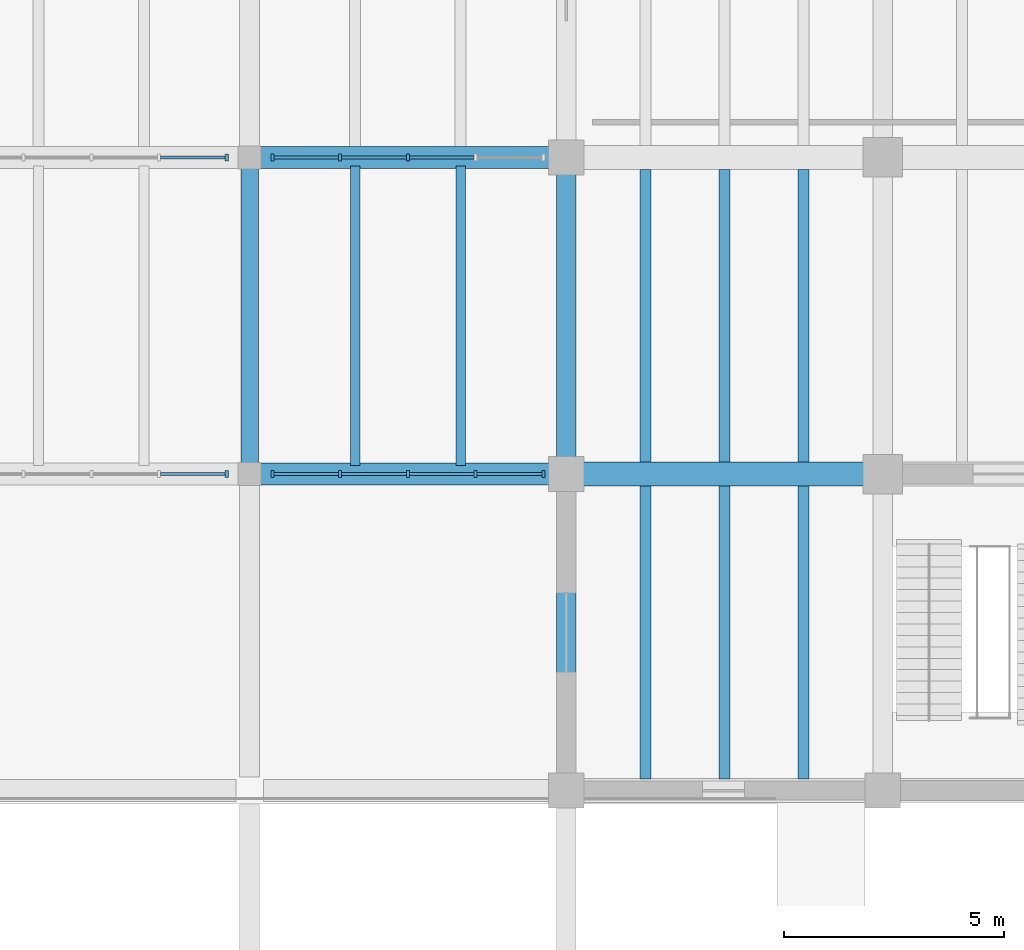
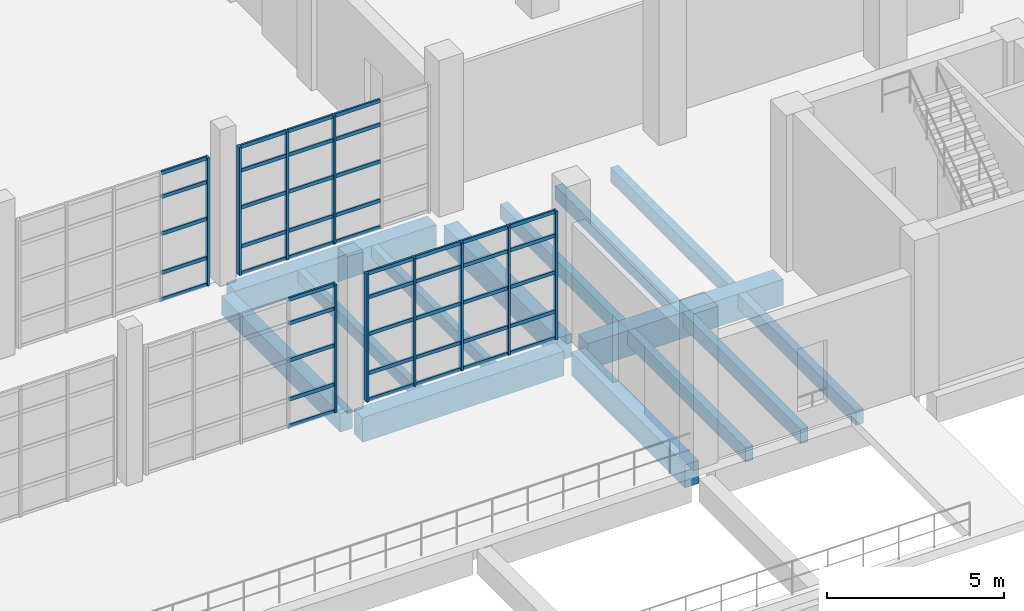
# One storey, part 42 of 79: 55 members, 14 beams, 4 elements without a shape of their own.
"""IFC4 building model written with IfcOpenShell, lengths in metres."""

import ifcopenshell
import ifcopenshell.guid

model = None  # the IFC model being written
_history = None  # IfcOwnerHistory: only IFC2X3 demands one
_inside = {}  # id of a spatial element -> (the spatial element, [elements in it])
_under = {}  # id of a project, library or spatial element -> (it, [spatial elements below it])
_declared = {}  # id of a project -> (the project, [libraries it declares])
_typed = {}  # id of a type object -> (the type object, [elements of that type])
_made_of = {}  # id of a material, layer set ... -> (it, [elements and type objects made of it])


def new_model(schema):
    """Start an empty IFC model of exactly this schema.

    Asked for "IFC4X3", IfcOpenShell would pick the latest addendum, in which some entities
    have other attributes; the version numbers below select the first issue.
    IFC2X3 requires an IfcOwnerHistory on every rooted entity: one is made here for all.
    """
    global model, _history
    if schema == "IFC4X3":
        model = ifcopenshell.file(schema_version=(4, 3, 0, 0))
    else:
        model = ifcopenshell.file(schema=schema)
    _inside.clear()
    _under.clear()
    _declared.clear()
    _typed.clear()
    _made_of.clear()
    _history = None
    if model.schema == "IFC2X3":
        org = make("IfcOrganization", Name="unknown")
        user = make(
            "IfcPersonAndOrganization",
            ThePerson=make("IfcPerson", FamilyName="unknown"),
            TheOrganization=org,
        )
        app = make(
            "IfcApplication",
            ApplicationDeveloper=org,
            Version="unknown",
            ApplicationFullName="unknown",
            ApplicationIdentifier="unknown",
        )
        _history = make(
            "IfcOwnerHistory",
            OwningUser=user,
            OwningApplication=app,
            ChangeAction="ADDED",
            CreationDate=0,
        )
    return model


def make(cls, **values):
    """One entity of the class cls with the attributes given. An attribute that is None is left unset."""
    return model.create_entity(
        cls, **{name: value for name, value in values.items() if value is not None}
    )


def rooted(cls, **values):
    """An entity with a GlobalId (a new one), such as an element, a storey or a relation."""
    return make(cls, GlobalId=ifcopenshell.guid.new(), OwnerHistory=_history, **values)


def si_unit(unit_type, name, prefix=None):
    """IfcSIUnit, for example si_unit("LENGTHUNIT", "METRE", prefix="MILLI")."""
    return make("IfcSIUnit", UnitType=unit_type, Prefix=prefix, Name=name)


def assignment(units):
    """IfcUnitAssignment: the units of a project."""
    return None if units is None else make("IfcUnitAssignment", Units=units)


def point(xyz):
    """IfcCartesianPoint."""
    return None if xyz is None else make("IfcCartesianPoint", Coordinates=xyz)


def direction(xyz):
    """IfcDirection."""
    return None if xyz is None else make("IfcDirection", DirectionRatios=xyz)


def frame(location, z_axis=None, x_axis=None):
    """IfcAxis2Placement3D, a coordinate frame: its origin and axes. An axis left out is left unset."""
    return make(
        "IfcAxis2Placement3D",
        Location=point(location),
        Axis=direction(z_axis),
        RefDirection=direction(x_axis),
    )


def frame_2d(location, x_axis=None):
    """IfcAxis2Placement2D, a coordinate frame in the plane: its origin and x axis."""
    return make(
        "IfcAxis2Placement2D", Location=point(location), RefDirection=direction(x_axis)
    )


def origin():
    """The frame at (0, 0, 0) with its axes left unset."""
    return frame((0.0, 0.0, 0.0))


def origin_2d():
    """The frame at (0, 0) in the plane with its x axis left unset."""
    return frame_2d((0.0, 0.0))


def place(relative_to, where):
    """IfcLocalPlacement: puts the frame where relative to a parent placement (None: the world)."""
    return make(
        "IfcLocalPlacement", PlacementRelTo=relative_to, RelativePlacement=where
    )


def context(
    kind, dimensions, precision=None, world=None, true_north=None, identifier=None
):
    """IfcGeometricRepresentationContext, for example the 3D "Model" context."""
    return make(
        "IfcGeometricRepresentationContext",
        ContextIdentifier=identifier,
        ContextType=kind,
        CoordinateSpaceDimension=dimensions,
        Precision=precision,
        WorldCoordinateSystem=world,
        TrueNorth=true_north,
    )


def subcontext(parent, identifier, kind, view, scale=None):
    """IfcGeometricRepresentationSubContext, for example "Body" below "Model"."""
    return make(
        "IfcGeometricRepresentationSubContext",
        ContextIdentifier=identifier,
        ContextType=kind,
        ParentContext=parent,
        TargetScale=scale,
        TargetView=view,
    )


def project(units=None, contexts=None):
    """IfcProject with its units and contexts."""
    return rooted(
        "IfcProject",
        Name="project",
        RepresentationContexts=contexts,
        UnitsInContext=assignment(units),
    )


def spatial(cls, under=None, at=None, **own):
    """A site, building, storey or space (cls), placed at a placement, below another one or the project."""
    s = rooted(cls, ObjectPlacement=at, **own)
    if under is not None:
        _under.setdefault(under.id(), (under, []))[1].append(s)
    return s


def profile(cls, at=None, kind="AREA", **sizes):
    """A parametric profile (cls). Its sizes go by their IFC names, for example OverallWidth=200.0."""
    return make(cls, ProfileType=kind, Position=at, **sizes)


def rectangle(**sizes):
    """IfcRectangleProfileDef."""
    return profile("IfcRectangleProfileDef", **sizes)


def extrude(swept, where, along, depth):
    """IfcExtrudedAreaSolid: the profile swept, set in the frame where, extruded along a direction by depth."""
    return make(
        "IfcExtrudedAreaSolid",
        SweptArea=swept,
        Position=where,
        ExtrudedDirection=direction(along),
        Depth=depth,
    )


def shape(context_of_items, identifier, shape_type, items):
    """IfcShapeRepresentation: the items that make up one representation, for example the "Body"."""
    return make(
        "IfcShapeRepresentation",
        ContextOfItems=context_of_items,
        RepresentationIdentifier=identifier,
        RepresentationType=shape_type,
        Items=items,
    )


def material(Name=None, Category=None):
    """IfcMaterial."""
    return make("IfcMaterial", Name=Name, Category=Category)


def material_profile(
    of_material, cross_section, Name=None, Category=None, Priority=None
):
    """IfcMaterialProfile: a cross section and its material."""
    return make(
        "IfcMaterialProfile",
        Name=Name,
        Material=of_material,
        Profile=cross_section,
        Priority=Priority,
        Category=Category,
    )


def profile_set(profiles, Name=None, composite=None):
    """IfcMaterialProfileSet."""
    return make(
        "IfcMaterialProfileSet",
        Name=Name,
        MaterialProfiles=profiles,
        CompositeProfile=composite,
    )


def made_of(thing, what):
    """Note that an element or type object is made of a material, layer set ...; save() writes the relation."""
    if what is not None:
        _made_of.setdefault(what.id(), (what, []))[1].append(thing)
    return thing


def type_object(cls, material=None, **own):
    """A type object (cls), such as IfcWallType, which elements share."""
    return made_of(rooted(cls, **own), material)


def element(
    cls,
    number,
    at=None,
    inside=None,
    cuts=None,
    type_object=None,
    material=None,
    context=None,
    identifier="Body",
    shape_type=None,
    held_by="IfcProductDefinitionShape",
    body=None,
    shapes=None,
    **own,
):
    """One element of the class cls, such as IfcWall. Its Tag is "e" and its number.

    at: its placement. inside: the storey or other place that contains it. cuts: it is an
    opening in that element (IfcRelVoidsElement). A single representation is given by context,
    identifier, shape_type and body (its items); several are given by shapes. held_by: the class
    of the entity that holds the representations. save() writes the other relations.
    """
    e = rooted(cls, Tag="e%d" % number, ObjectPlacement=at, **own)
    if body is not None:
        shapes = [shape(context, identifier, shape_type, body)]
    if shapes is not None:
        e.Representation = make(held_by, Representations=shapes)
    if inside is not None:
        _inside.setdefault(inside.id(), (inside, []))[1].append(e)
    if cuts is not None:
        rooted(
            "IfcRelVoidsElement", RelatingBuildingElement=cuts, RelatedOpeningElement=e
        )
    if type_object is not None:
        _typed.setdefault(type_object.id(), (type_object, []))[1].append(e)
    return made_of(e, material)


def aggregate(whole, parts):
    """IfcRelAggregates: a whole, such as a stair, and the parts it consists of."""
    return rooted("IfcRelAggregates", RelatingObject=whole, RelatedObjects=parts)


def save(model, path):
    """Write the relations noted so far, then the file.

    IfcRelAggregates (storeys below a building ...), IfcRelContainedInSpatialStructure (elements
    in a storey), IfcRelDefinesByType, IfcRelAssociatesMaterial and IfcRelDeclares: one each for
    every whole, place, type object, material and project.
    """
    for whole, parts in _under.values():
        aggregate(whole, parts)
    for where, things in _inside.values():
        rooted(
            "IfcRelContainedInSpatialStructure",
            RelatedElements=things,
            RelatingStructure=where,
        )
    for kind, things in _typed.values():
        rooted("IfcRelDefinesByType", RelatedObjects=things, RelatingType=kind)
    for what, things in _made_of.values():
        rooted("IfcRelAssociatesMaterial", RelatedObjects=things, RelatingMaterial=what)
    for by, libraries in _declared.values():
        rooted("IfcRelDeclares", RelatingContext=by, RelatedDefinitions=libraries)
    model.write(path)


model = new_model("IFC4")

# Units and contexts
model_context = context("Model", 3, precision=1e-05, world=origin(), true_north=direction((0.0, 1.0)))
body_context = subcontext(model_context, "Body", "Model", "MODEL_VIEW")
ifc_project = project(units=[si_unit("LENGTHUNIT", "METRE"), si_unit("AREAUNIT", "SQUARE_METRE"), si_unit("VOLUMEUNIT", "CUBIC_METRE"), si_unit("PLANEANGLEUNIT", "RADIAN"), si_unit("MASSUNIT", "GRAM", prefix="KILO")], contexts=[model_context])

# Site, building, storey
site_placement = place(None, origin())
site = spatial("IfcSite", under=ifc_project, at=site_placement, CompositionType="ELEMENT")
building_placement = place(site_placement, origin())
building = spatial("IfcBuilding", under=site, at=building_placement, Name="Qiaolan Assembly House", CompositionType="ELEMENT")
storey_placement = place(building_placement, origin())
storey = spatial("IfcBuildingStorey", under=building, at=storey_placement, Name="L00", CompositionType="ELEMENT", Elevation=0.0)

# Beams
ifc_material_1 = material(Name="Concrete C40/50", Category="concrete")
ifc_material_profile_1 = material_profile(ifc_material_1, rectangle(XDim=0.39990234375, YDim=0.64990234375, at=origin_2d()), Name="RCB 400x650")
ifc_profile_set_1 = profile_set([ifc_material_profile_1], Name="Concrete C40/50")
beam_type_1 = type_object("IfcBeamType", Name="BM-RC-400x650", PredefinedType="BEAM", material=ifc_profile_set_1)
beam_1_placement = place(storey_placement, frame((129.60009765625, 36.25, -0.6650390625), z_axis=(0.0, 1.0, 0.0), x_axis=(-1.0, 0.0, 0.0)))
element("IfcBeam", 1, at=beam_1_placement, inside=storey, type_object=beam_type_1, Name="GB-06 beam BMY-CLS-L00-03-00", PredefinedType="BEAM", context=body_context, shape_type="SweptSolid", body=[
    extrude(rectangle(XDim=0.39990234375, YDim=0.64990234375, at=origin_2d()), origin(), (0.0, 0.0, 1.0), 6.699951171875),
])
ifc_material_profile_2 = material_profile(ifc_material_1, rectangle(XDim=0.449951171875, YDim=0.800048828125, at=origin_2d()), Name="RCB 450x800")
ifc_profile_set_2 = profile_set([ifc_material_profile_2], Name="Concrete C40/50")
beam_type_2 = type_object("IfcBeamType", Name="BM-RC-450x800", PredefinedType="BEAM", material=ifc_profile_set_2)
for number, where, z_axis, x_axis, name in (
    (2, (136.800048828125, 29.18994140625, -0.739990234375), (0.0, 1.0, 0.0), (-1.0, 0.0, 0.0), "GB-03 beam BMY-APR0-L00-04-01"),
    (3, (136.800048828125, 36.389892578125, -0.739990234375), (0.0, 1.0, 0.0), (-1.0, 0.0, 0.0), "GB-03 beam BMY-LB-L00-00-01"),
):
    element("IfcBeam", number, at=place(storey_placement, frame(where, z_axis=z_axis, x_axis=x_axis)), inside=storey, type_object=beam_type_2, Name=name, PredefinedType="BEAM", context=body_context, shape_type="SweptSolid", body=[
        extrude(rectangle(XDim=0.449951171875, YDim=0.800048828125, at=origin_2d()), origin(), (0.0, 0.0, 1.0), 6.420166015625),
    ])
ifc_material_2 = material(Name="Concrete C45/55", Category="concrete")
ifc_material_profile_3 = material_profile(ifc_material_2, rectangle(XDim=0.5, YDim=0.85009765625, at=origin_2d()), Name="RCB 500x850")
ifc_profile_set_3 = profile_set([ifc_material_profile_3], Name="Concrete C45/55")
beam_type_3 = type_object("IfcBeamType", Name="BM-RC-500x850", PredefinedType="BEAM", material=ifc_profile_set_3)
for number, where, z_axis, x_axis, name in (
    (4, (129.85009765625, 43.199951171875, -0.764892578125), (1.0, 0.0, 0.0), (0.0, 1.0, 0.0), "GB-02 beam BMX-CLCRT-L00-03-00"),
    (5, (129.85009765625, 36.0, -0.764892578125), (1.0, 0.0, 0.0), (0.0, 1.0, 0.0), "GB-02 beam BMX-APR0-L00-03-02"),
):
    element("IfcBeam", number, at=place(storey_placement, frame(where, z_axis=z_axis, x_axis=x_axis)), inside=storey, type_object=beam_type_3, Name=name, PredefinedType="BEAM", context=body_context, shape_type="SweptSolid", body=[
        extrude(rectangle(XDim=0.5, YDim=0.85009765625, at=origin_2d()), origin(), (0.0, 0.0, 1.0), 6.559814453125),
    ])
ifc_material_profile_4 = material_profile(ifc_material_2, rectangle(XDim=0.550048828125, YDim=0.89990234375, at=origin_2d()), Name="RCB 550x900")
ifc_profile_set_4 = profile_set([ifc_material_profile_4], Name="Concrete C45/55")
beam_type_4 = type_object("IfcBeamType", Name="BM-RC-550x900", PredefinedType="BEAM", material=ifc_profile_set_4)
beam_2_placement = place(storey_placement, frame((137.18994140625, 36.0, -0.7900390625), z_axis=(1.0, 0.0, 0.0), x_axis=(0.0, 1.0, 0.0)))
element("IfcBeam", 6, at=beam_2_placement, inside=storey, type_object=beam_type_4, Name="GB-01 beam BMX-LB-L00-00-01", PredefinedType="BEAM", context=body_context, shape_type="SweptSolid", body=[
    extrude(rectangle(XDim=0.550048828125, YDim=0.89990234375, at=origin_2d()), origin(), (0.0, 0.0, 1.0), 6.3701171875),
])

# Curtain wall, member
ifc_material_3 = material(Name="Anodised bronze aluminium", Category="aluminium")
curtain_wall_type = type_object("IfcCurtainWallType", Name="CW-CLOISTER-420", PredefinedType="NOTDEFINED", material=ifc_material_3)
curtain_wall_1_placement = place(storey_placement, origin())
curtain_wall_1 = element("IfcCurtainWall", 7, at=curtain_wall_1_placement, inside=storey, type_object=curtain_wall_type, Name="CW-05 South Cloister outer arcade L00-3", PredefinedType="NOTDEFINED")
ifc_material_profile_5 = material_profile(ifc_material_3, rectangle(XDim=0.070068359375, YDim=0.155029296875, at=origin_2d()), Name="MUL 70x155")
ifc_profile_set_5 = profile_set([ifc_material_profile_5], Name="Anodised bronze aluminium")
member_type_1 = type_object("IfcMemberType", Name="CW-CLOISTER-420-MUL", PredefinedType="MULLION", material=ifc_profile_set_5)
member_1_placement = place(storey_placement, frame((129.080078125, 36.0, 0.0), z_axis=(0.0, 0.0, 1.0), x_axis=(1.0, 0.0, 0.0)))
member_1 = element("IfcMember", 8, at=member_1_placement, type_object=member_type_1, Name="ML-06 mullion CW-CLS-OUT-L00-2-5", PredefinedType="MULLION", context=body_context, shape_type="SweptSolid", body=[
    extrude(rectangle(XDim=0.070068359375, YDim=0.155029296875, at=origin_2d()), origin(), (0.0, 0.0, 1.0), 4.419921875),
])

curtain_wall_2_placement = place(storey_placement, origin())
curtain_wall_2 = element("IfcCurtainWall", 9, at=curtain_wall_2_placement, inside=storey, type_object=curtain_wall_type, Name="CW-05 South Cloister court arcade L00-3", PredefinedType="NOTDEFINED")
member_2_placement = place(storey_placement, frame((129.080078125, 43.199951171875, 0.0), z_axis=(0.0, 0.0, 1.0), x_axis=(-1.0, 0.0, 0.0)))
member_2 = element("IfcMember", 10, at=member_2_placement, type_object=member_type_1, Name="ML-06 mullion CW-CLS-CRT-L00-2-1", PredefinedType="MULLION", context=body_context, shape_type="SweptSolid", body=[
    extrude(rectangle(XDim=0.070068359375, YDim=0.155029296875, at=origin_2d()), origin(), (0.0, 0.0, 1.0), 4.419921875),
])

# Curtain wall, members
curtain_wall_3_placement = place(storey_placement, origin())
curtain_wall_3 = element("IfcCurtainWall", 11, at=curtain_wall_3_placement, inside=storey, type_object=curtain_wall_type, Name="CW-05 South Cloister outer arcade L00-4", PredefinedType="NOTDEFINED")
member_3_placement = place(storey_placement, frame((130.1201171875, 36.0, 0.0), z_axis=(0.0, 0.0, 1.0), x_axis=(1.0, 0.0, 0.0)))
member_3 = element("IfcMember", 12, at=member_3_placement, type_object=member_type_1, Name="ML-06 mullion CW-CLS-OUT-L00-3-1", PredefinedType="MULLION", context=body_context, shape_type="SweptSolid", body=[
    extrude(rectangle(XDim=0.070068359375, YDim=0.155029296875, at=origin_2d()), origin(), (0.0, 0.0, 1.0), 4.419921875),
])
member_4_placement = place(storey_placement, frame((131.659912109375, 36.0, 0.0), z_axis=(0.0, 0.0, 1.0), x_axis=(1.0, 0.0, 0.0)))
member_4 = element("IfcMember", 13, at=member_4_placement, type_object=member_type_1, Name="ML-06 mullion CW-CLS-OUT-L00-3-2", PredefinedType="MULLION", context=body_context, shape_type="SweptSolid", body=[
    extrude(rectangle(XDim=0.070068359375, YDim=0.155029296875, at=origin_2d()), origin(), (0.0, 0.0, 1.0), 4.419921875),
])
member_5_placement = place(storey_placement, frame((133.199951171875, 36.0, 0.0), z_axis=(0.0, 0.0, 1.0), x_axis=(1.0, 0.0, 0.0)))
member_5 = element("IfcMember", 14, at=member_5_placement, type_object=member_type_1, Name="ML-06 mullion CW-CLS-OUT-L00-3-3", PredefinedType="MULLION", context=body_context, shape_type="SweptSolid", body=[
    extrude(rectangle(XDim=0.070068359375, YDim=0.155029296875, at=origin_2d()), origin(), (0.0, 0.0, 1.0), 4.419921875),
])
member_6_placement = place(storey_placement, frame((134.739990234375, 36.0, 0.0), z_axis=(0.0, 0.0, 1.0), x_axis=(1.0, 0.0, 0.0)))
member_6 = element("IfcMember", 15, at=member_6_placement, type_object=member_type_1, Name="ML-06 mullion CW-CLS-OUT-L00-3-4", PredefinedType="MULLION", context=body_context, shape_type="SweptSolid", body=[
    extrude(rectangle(XDim=0.070068359375, YDim=0.155029296875, at=origin_2d()), origin(), (0.0, 0.0, 1.0), 4.419921875),
])
member_7_placement = place(storey_placement, frame((136.280029296875, 36.0, 0.0), z_axis=(0.0, 0.0, 1.0), x_axis=(1.0, 0.0, 0.0)))
member_7 = element("IfcMember", 16, at=member_7_placement, type_object=member_type_1, Name="ML-06 mullion CW-CLS-OUT-L00-3-5", PredefinedType="MULLION", context=body_context, shape_type="SweptSolid", body=[
    extrude(rectangle(XDim=0.070068359375, YDim=0.155029296875, at=origin_2d()), origin(), (0.0, 0.0, 1.0), 4.419921875),
])

curtain_wall_4_placement = place(storey_placement, origin())
curtain_wall_4 = element("IfcCurtainWall", 17, at=curtain_wall_4_placement, inside=storey, type_object=curtain_wall_type, Name="CW-05 South Cloister court arcade L00-4", PredefinedType="NOTDEFINED")
member_8_placement = place(storey_placement, frame((133.199951171875, 43.199951171875, 0.0), z_axis=(0.0, 0.0, 1.0), x_axis=(-1.0, 0.0, 0.0)))
member_8 = element("IfcMember", 18, at=member_8_placement, type_object=member_type_1, Name="ML-06 mullion CW-CLS-CRT-L00-3-3", PredefinedType="MULLION", context=body_context, shape_type="SweptSolid", body=[
    extrude(rectangle(XDim=0.070068359375, YDim=0.155029296875, at=origin_2d()), origin(), (0.0, 0.0, 1.0), 4.419921875),
])
member_9_placement = place(storey_placement, frame((131.659912109375, 43.199951171875, 0.0), z_axis=(0.0, 0.0, 1.0), x_axis=(-1.0, 0.0, 0.0)))
member_9 = element("IfcMember", 19, at=member_9_placement, type_object=member_type_1, Name="ML-06 mullion CW-CLS-CRT-L00-3-4", PredefinedType="MULLION", context=body_context, shape_type="SweptSolid", body=[
    extrude(rectangle(XDim=0.070068359375, YDim=0.155029296875, at=origin_2d()), origin(), (0.0, 0.0, 1.0), 4.419921875),
])
member_10_placement = place(storey_placement, frame((130.1201171875, 43.199951171875, 0.0), z_axis=(0.0, 0.0, 1.0), x_axis=(-1.0, 0.0, 0.0)))
member_10 = element("IfcMember", 20, at=member_10_placement, type_object=member_type_1, Name="ML-06 mullion CW-CLS-CRT-L00-3-5", PredefinedType="MULLION", context=body_context, shape_type="SweptSolid", body=[
    extrude(rectangle(XDim=0.070068359375, YDim=0.155029296875, at=origin_2d()), origin(), (0.0, 0.0, 1.0), 4.419921875),
])

# Member
ifc_material_profile_6 = material_profile(ifc_material_3, rectangle(XDim=0.06201171875, YDim=0.125, at=origin_2d()), Name="TRN 62x125")
ifc_profile_set_6 = profile_set([ifc_material_profile_6], Name="Anodised bronze aluminium")
member_type_2 = type_object("IfcMemberType", Name="CW-CLOISTER-420-TRN", PredefinedType="USERDEFINED", material=ifc_profile_set_6)
member_11_placement = place(storey_placement, frame((127.574951171875, 36.0, 0.030029296875), z_axis=(1.0, 0.0, 0.0), x_axis=(0.0, 1.0, 0.0)))
member_11 = element("IfcMember", 21, at=member_11_placement, type_object=member_type_2, Name="TR-06 transom CW-CLS-OUT-L00-2-4-1", ObjectType="TRANSOM", PredefinedType="USERDEFINED", context=body_context, shape_type="SweptSolid", body=[
    extrude(rectangle(XDim=0.06201171875, YDim=0.125, at=origin_2d()), origin(), (0.0, 0.0, 1.0), 1.469970703125),
])

member_12_placement = place(storey_placement, frame((127.574951171875, 36.0, 0.949951171875), z_axis=(1.0, 0.0, 0.0), x_axis=(0.0, 1.0, 0.0)))
member_12 = element("IfcMember", 22, at=member_12_placement, type_object=member_type_2, Name="TR-06 transom CW-CLS-OUT-L00-2-4-2", ObjectType="TRANSOM", PredefinedType="USERDEFINED", context=body_context, shape_type="SweptSolid", body=[
    extrude(rectangle(XDim=0.06201171875, YDim=0.125, at=origin_2d()), origin(), (0.0, 0.0, 1.0), 1.469970703125),
])

member_13_placement = place(storey_placement, frame((127.574951171875, 36.0, 2.29833984375), z_axis=(1.0, 0.0, 0.0), x_axis=(0.0, 1.0, 0.0)))
member_13 = element("IfcMember", 23, at=member_13_placement, type_object=member_type_2, Name="TR-06 transom CW-CLS-OUT-L00-2-4-3", ObjectType="TRANSOM", PredefinedType="USERDEFINED", context=body_context, shape_type="SweptSolid", body=[
    extrude(rectangle(XDim=0.06201171875, YDim=0.125, at=origin_2d()), origin(), (0.0, 0.0, 1.0), 1.469970703125),
])

member_14_placement = place(storey_placement, frame((127.574951171875, 36.0, 3.570068359375), z_axis=(1.0, 0.0, 0.0), x_axis=(0.0, 1.0, 0.0)))
member_14 = element("IfcMember", 24, at=member_14_placement, type_object=member_type_2, Name="TR-06 transom CW-CLS-OUT-L00-2-4-4", ObjectType="TRANSOM", PredefinedType="USERDEFINED", context=body_context, shape_type="SweptSolid", body=[
    extrude(rectangle(XDim=0.06201171875, YDim=0.125, at=origin_2d()), origin(), (0.0, 0.0, 1.0), 1.469970703125),
])

member_15_placement = place(storey_placement, frame((127.574951171875, 36.0, 4.389892578125), z_axis=(1.0, 0.0, 0.0), x_axis=(0.0, 1.0, 0.0)))
member_15 = element("IfcMember", 25, at=member_15_placement, type_object=member_type_2, Name="TR-06 transom CW-CLS-OUT-L00-2-4-5", ObjectType="TRANSOM", PredefinedType="USERDEFINED", context=body_context, shape_type="SweptSolid", body=[
    extrude(rectangle(XDim=0.06201171875, YDim=0.125, at=origin_2d()), origin(), (0.0, 0.0, 1.0), 1.469970703125),
])

aggregate(curtain_wall_1, [member_1, member_11, member_12, member_13, member_14, member_15])

member_16_placement = place(storey_placement, frame((129.044921875, 43.199951171875, 0.030029296875), z_axis=(-1.0, 0.0, 0.0), x_axis=(0.0, -1.0, 0.0)))
member_16 = element("IfcMember", 26, at=member_16_placement, type_object=member_type_2, Name="TR-06 transom CW-CLS-CRT-L00-2-1-1", ObjectType="TRANSOM", PredefinedType="USERDEFINED", context=body_context, shape_type="SweptSolid", body=[
    extrude(rectangle(XDim=0.06201171875, YDim=0.125, at=origin_2d()), origin(), (0.0, 0.0, 1.0), 1.469970703125),
])

member_17_placement = place(storey_placement, frame((129.044921875, 43.199951171875, 0.949951171875), z_axis=(-1.0, 0.0, 0.0), x_axis=(0.0, -1.0, 0.0)))
member_17 = element("IfcMember", 27, at=member_17_placement, type_object=member_type_2, Name="TR-06 transom CW-CLS-CRT-L00-2-1-2", ObjectType="TRANSOM", PredefinedType="USERDEFINED", context=body_context, shape_type="SweptSolid", body=[
    extrude(rectangle(XDim=0.06201171875, YDim=0.125, at=origin_2d()), origin(), (0.0, 0.0, 1.0), 1.469970703125),
])

member_18_placement = place(storey_placement, frame((129.044921875, 43.199951171875, 2.29833984375), z_axis=(-1.0, 0.0, 0.0), x_axis=(0.0, -1.0, 0.0)))
member_18 = element("IfcMember", 28, at=member_18_placement, type_object=member_type_2, Name="TR-06 transom CW-CLS-CRT-L00-2-1-3", ObjectType="TRANSOM", PredefinedType="USERDEFINED", context=body_context, shape_type="SweptSolid", body=[
    extrude(rectangle(XDim=0.06201171875, YDim=0.125, at=origin_2d()), origin(), (0.0, 0.0, 1.0), 1.469970703125),
])

member_19_placement = place(storey_placement, frame((129.044921875, 43.199951171875, 3.570068359375), z_axis=(-1.0, 0.0, 0.0), x_axis=(0.0, -1.0, 0.0)))
member_19 = element("IfcMember", 29, at=member_19_placement, type_object=member_type_2, Name="TR-06 transom CW-CLS-CRT-L00-2-1-4", ObjectType="TRANSOM", PredefinedType="USERDEFINED", context=body_context, shape_type="SweptSolid", body=[
    extrude(rectangle(XDim=0.06201171875, YDim=0.125, at=origin_2d()), origin(), (0.0, 0.0, 1.0), 1.469970703125),
])

member_20_placement = place(storey_placement, frame((129.044921875, 43.199951171875, 4.389892578125), z_axis=(-1.0, 0.0, 0.0), x_axis=(0.0, -1.0, 0.0)))
member_20 = element("IfcMember", 30, at=member_20_placement, type_object=member_type_2, Name="TR-06 transom CW-CLS-CRT-L00-2-1-5", ObjectType="TRANSOM", PredefinedType="USERDEFINED", context=body_context, shape_type="SweptSolid", body=[
    extrude(rectangle(XDim=0.06201171875, YDim=0.125, at=origin_2d()), origin(), (0.0, 0.0, 1.0), 1.469970703125),
])

aggregate(curtain_wall_2, [member_2, member_16, member_17, member_18, member_19, member_20])

member_21_placement = place(storey_placement, frame((130.155029296875, 36.0, 0.030029296875), z_axis=(1.0, 0.0, 0.0), x_axis=(0.0, 1.0, 0.0)))
member_21 = element("IfcMember", 31, at=member_21_placement, type_object=member_type_2, Name="TR-06 transom CW-CLS-OUT-L00-3-1-1", ObjectType="TRANSOM", PredefinedType="USERDEFINED", context=body_context, shape_type="SweptSolid", body=[
    extrude(rectangle(XDim=0.06201171875, YDim=0.125, at=origin_2d()), origin(), (0.0, 0.0, 1.0), 1.469970703125),
])

member_22_placement = place(storey_placement, frame((130.155029296875, 36.0, 0.949951171875), z_axis=(1.0, 0.0, 0.0), x_axis=(0.0, 1.0, 0.0)))
member_22 = element("IfcMember", 32, at=member_22_placement, type_object=member_type_2, Name="TR-06 transom CW-CLS-OUT-L00-3-1-2", ObjectType="TRANSOM", PredefinedType="USERDEFINED", context=body_context, shape_type="SweptSolid", body=[
    extrude(rectangle(XDim=0.06201171875, YDim=0.125, at=origin_2d()), origin(), (0.0, 0.0, 1.0), 1.469970703125),
])

member_23_placement = place(storey_placement, frame((130.155029296875, 36.0, 2.29833984375), z_axis=(1.0, 0.0, 0.0), x_axis=(0.0, 1.0, 0.0)))
member_23 = element("IfcMember", 33, at=member_23_placement, type_object=member_type_2, Name="TR-06 transom CW-CLS-OUT-L00-3-1-3", ObjectType="TRANSOM", PredefinedType="USERDEFINED", context=body_context, shape_type="SweptSolid", body=[
    extrude(rectangle(XDim=0.06201171875, YDim=0.125, at=origin_2d()), origin(), (0.0, 0.0, 1.0), 1.469970703125),
])

member_24_placement = place(storey_placement, frame((130.155029296875, 36.0, 3.570068359375), z_axis=(1.0, 0.0, 0.0), x_axis=(0.0, 1.0, 0.0)))
member_24 = element("IfcMember", 34, at=member_24_placement, type_object=member_type_2, Name="TR-06 transom CW-CLS-OUT-L00-3-1-4", ObjectType="TRANSOM", PredefinedType="USERDEFINED", context=body_context, shape_type="SweptSolid", body=[
    extrude(rectangle(XDim=0.06201171875, YDim=0.125, at=origin_2d()), origin(), (0.0, 0.0, 1.0), 1.469970703125),
])

member_25_placement = place(storey_placement, frame((130.155029296875, 36.0, 4.389892578125), z_axis=(1.0, 0.0, 0.0), x_axis=(0.0, 1.0, 0.0)))
member_25 = element("IfcMember", 35, at=member_25_placement, type_object=member_type_2, Name="TR-06 transom CW-CLS-OUT-L00-3-1-5", ObjectType="TRANSOM", PredefinedType="USERDEFINED", context=body_context, shape_type="SweptSolid", body=[
    extrude(rectangle(XDim=0.06201171875, YDim=0.125, at=origin_2d()), origin(), (0.0, 0.0, 1.0), 1.469970703125),
])

member_26_placement = place(storey_placement, frame((131.695068359375, 36.0, 0.030029296875), z_axis=(1.0, 0.0, 0.0), x_axis=(0.0, 1.0, 0.0)))
member_26 = element("IfcMember", 36, at=member_26_placement, type_object=member_type_2, Name="TR-06 transom CW-CLS-OUT-L00-3-2-1", ObjectType="TRANSOM", PredefinedType="USERDEFINED", context=body_context, shape_type="SweptSolid", body=[
    extrude(rectangle(XDim=0.06201171875, YDim=0.125, at=origin_2d()), origin(), (0.0, 0.0, 1.0), 1.469970703125),
])

member_27_placement = place(storey_placement, frame((131.695068359375, 36.0, 0.949951171875), z_axis=(1.0, 0.0, 0.0), x_axis=(0.0, 1.0, 0.0)))
member_27 = element("IfcMember", 37, at=member_27_placement, type_object=member_type_2, Name="TR-06 transom CW-CLS-OUT-L00-3-2-2", ObjectType="TRANSOM", PredefinedType="USERDEFINED", context=body_context, shape_type="SweptSolid", body=[
    extrude(rectangle(XDim=0.06201171875, YDim=0.125, at=origin_2d()), origin(), (0.0, 0.0, 1.0), 1.469970703125),
])

member_28_placement = place(storey_placement, frame((131.695068359375, 36.0, 2.29833984375), z_axis=(1.0, 0.0, 0.0), x_axis=(0.0, 1.0, 0.0)))
member_28 = element("IfcMember", 38, at=member_28_placement, type_object=member_type_2, Name="TR-06 transom CW-CLS-OUT-L00-3-2-3", ObjectType="TRANSOM", PredefinedType="USERDEFINED", context=body_context, shape_type="SweptSolid", body=[
    extrude(rectangle(XDim=0.06201171875, YDim=0.125, at=origin_2d()), origin(), (0.0, 0.0, 1.0), 1.469970703125),
])

member_29_placement = place(storey_placement, frame((131.695068359375, 36.0, 3.570068359375), z_axis=(1.0, 0.0, 0.0), x_axis=(0.0, 1.0, 0.0)))
member_29 = element("IfcMember", 39, at=member_29_placement, type_object=member_type_2, Name="TR-06 transom CW-CLS-OUT-L00-3-2-4", ObjectType="TRANSOM", PredefinedType="USERDEFINED", context=body_context, shape_type="SweptSolid", body=[
    extrude(rectangle(XDim=0.06201171875, YDim=0.125, at=origin_2d()), origin(), (0.0, 0.0, 1.0), 1.469970703125),
])

member_30_placement = place(storey_placement, frame((131.695068359375, 36.0, 4.389892578125), z_axis=(1.0, 0.0, 0.0), x_axis=(0.0, 1.0, 0.0)))
member_30 = element("IfcMember", 40, at=member_30_placement, type_object=member_type_2, Name="TR-06 transom CW-CLS-OUT-L00-3-2-5", ObjectType="TRANSOM", PredefinedType="USERDEFINED", context=body_context, shape_type="SweptSolid", body=[
    extrude(rectangle(XDim=0.06201171875, YDim=0.125, at=origin_2d()), origin(), (0.0, 0.0, 1.0), 1.469970703125),
])

member_31_placement = place(storey_placement, frame((133.235107421875, 36.0, 0.030029296875), z_axis=(1.0, 0.0, 0.0), x_axis=(0.0, 1.0, 0.0)))
member_31 = element("IfcMember", 41, at=member_31_placement, type_object=member_type_2, Name="TR-06 transom CW-CLS-OUT-L00-3-3-1", ObjectType="TRANSOM", PredefinedType="USERDEFINED", context=body_context, shape_type="SweptSolid", body=[
    extrude(rectangle(XDim=0.06201171875, YDim=0.125, at=origin_2d()), origin(), (0.0, 0.0, 1.0), 1.469970703125),
])

member_32_placement = place(storey_placement, frame((133.235107421875, 36.0, 0.949951171875), z_axis=(1.0, 0.0, 0.0), x_axis=(0.0, 1.0, 0.0)))
member_32 = element("IfcMember", 42, at=member_32_placement, type_object=member_type_2, Name="TR-06 transom CW-CLS-OUT-L00-3-3-2", ObjectType="TRANSOM", PredefinedType="USERDEFINED", context=body_context, shape_type="SweptSolid", body=[
    extrude(rectangle(XDim=0.06201171875, YDim=0.125, at=origin_2d()), origin(), (0.0, 0.0, 1.0), 1.469970703125),
])

member_33_placement = place(storey_placement, frame((133.235107421875, 36.0, 2.29833984375), z_axis=(1.0, 0.0, 0.0), x_axis=(0.0, 1.0, 0.0)))
member_33 = element("IfcMember", 43, at=member_33_placement, type_object=member_type_2, Name="TR-06 transom CW-CLS-OUT-L00-3-3-3", ObjectType="TRANSOM", PredefinedType="USERDEFINED", context=body_context, shape_type="SweptSolid", body=[
    extrude(rectangle(XDim=0.06201171875, YDim=0.125, at=origin_2d()), origin(), (0.0, 0.0, 1.0), 1.469970703125),
])

member_34_placement = place(storey_placement, frame((133.235107421875, 36.0, 3.570068359375), z_axis=(1.0, 0.0, 0.0), x_axis=(0.0, 1.0, 0.0)))
member_34 = element("IfcMember", 44, at=member_34_placement, type_object=member_type_2, Name="TR-06 transom CW-CLS-OUT-L00-3-3-4", ObjectType="TRANSOM", PredefinedType="USERDEFINED", context=body_context, shape_type="SweptSolid", body=[
    extrude(rectangle(XDim=0.06201171875, YDim=0.125, at=origin_2d()), origin(), (0.0, 0.0, 1.0), 1.469970703125),
])

member_35_placement = place(storey_placement, frame((133.235107421875, 36.0, 4.389892578125), z_axis=(1.0, 0.0, 0.0), x_axis=(0.0, 1.0, 0.0)))
member_35 = element("IfcMember", 45, at=member_35_placement, type_object=member_type_2, Name="TR-06 transom CW-CLS-OUT-L00-3-3-5", ObjectType="TRANSOM", PredefinedType="USERDEFINED", context=body_context, shape_type="SweptSolid", body=[
    extrude(rectangle(XDim=0.06201171875, YDim=0.125, at=origin_2d()), origin(), (0.0, 0.0, 1.0), 1.469970703125),
])

member_36_placement = place(storey_placement, frame((134.77490234375, 36.0, 0.030029296875), z_axis=(1.0, 0.0, 0.0), x_axis=(0.0, 1.0, 0.0)))
member_36 = element("IfcMember", 46, at=member_36_placement, type_object=member_type_2, Name="TR-06 transom CW-CLS-OUT-L00-3-4-1", ObjectType="TRANSOM", PredefinedType="USERDEFINED", context=body_context, shape_type="SweptSolid", body=[
    extrude(rectangle(XDim=0.06201171875, YDim=0.125, at=origin_2d()), origin(), (0.0, 0.0, 1.0), 1.47021484375),
])

member_37_placement = place(storey_placement, frame((134.77490234375, 36.0, 0.949951171875), z_axis=(1.0, 0.0, 0.0), x_axis=(0.0, 1.0, 0.0)))
member_37 = element("IfcMember", 47, at=member_37_placement, type_object=member_type_2, Name="TR-06 transom CW-CLS-OUT-L00-3-4-2", ObjectType="TRANSOM", PredefinedType="USERDEFINED", context=body_context, shape_type="SweptSolid", body=[
    extrude(rectangle(XDim=0.06201171875, YDim=0.125, at=origin_2d()), origin(), (0.0, 0.0, 1.0), 1.47021484375),
])

member_38_placement = place(storey_placement, frame((134.77490234375, 36.0, 2.29833984375), z_axis=(1.0, 0.0, 0.0), x_axis=(0.0, 1.0, 0.0)))
member_38 = element("IfcMember", 48, at=member_38_placement, type_object=member_type_2, Name="TR-06 transom CW-CLS-OUT-L00-3-4-3", ObjectType="TRANSOM", PredefinedType="USERDEFINED", context=body_context, shape_type="SweptSolid", body=[
    extrude(rectangle(XDim=0.06201171875, YDim=0.125, at=origin_2d()), origin(), (0.0, 0.0, 1.0), 1.47021484375),
])

member_39_placement = place(storey_placement, frame((134.77490234375, 36.0, 3.570068359375), z_axis=(1.0, 0.0, 0.0), x_axis=(0.0, 1.0, 0.0)))
member_39 = element("IfcMember", 49, at=member_39_placement, type_object=member_type_2, Name="TR-06 transom CW-CLS-OUT-L00-3-4-4", ObjectType="TRANSOM", PredefinedType="USERDEFINED", context=body_context, shape_type="SweptSolid", body=[
    extrude(rectangle(XDim=0.06201171875, YDim=0.125, at=origin_2d()), origin(), (0.0, 0.0, 1.0), 1.47021484375),
])

member_40_placement = place(storey_placement, frame((134.77490234375, 36.0, 4.389892578125), z_axis=(1.0, 0.0, 0.0), x_axis=(0.0, 1.0, 0.0)))
member_40 = element("IfcMember", 50, at=member_40_placement, type_object=member_type_2, Name="TR-06 transom CW-CLS-OUT-L00-3-4-5", ObjectType="TRANSOM", PredefinedType="USERDEFINED", context=body_context, shape_type="SweptSolid", body=[
    extrude(rectangle(XDim=0.06201171875, YDim=0.125, at=origin_2d()), origin(), (0.0, 0.0, 1.0), 1.47021484375),
])

aggregate(curtain_wall_3, [member_3, member_4, member_5, member_6, member_7, member_21, member_22, member_23, member_24, member_25, member_26, member_27, member_28, member_29, member_30, member_31, member_32, member_33, member_34, member_35, member_36, member_37, member_38, member_39, member_40])

member_41_placement = place(storey_placement, frame((134.705078125, 43.199951171875, 0.030029296875), z_axis=(-1.0, 0.0, 0.0), x_axis=(0.0, -1.0, 0.0)))
member_41 = element("IfcMember", 51, at=member_41_placement, type_object=member_type_2, Name="TR-06 transom CW-CLS-CRT-L00-3-2-1", ObjectType="TRANSOM", PredefinedType="USERDEFINED", context=body_context, shape_type="SweptSolid", body=[
    extrude(rectangle(XDim=0.06201171875, YDim=0.125, at=origin_2d()), origin(), (0.0, 0.0, 1.0), 1.469970703125),
])

member_42_placement = place(storey_placement, frame((134.705078125, 43.199951171875, 0.949951171875), z_axis=(-1.0, 0.0, 0.0), x_axis=(0.0, -1.0, 0.0)))
member_42 = element("IfcMember", 52, at=member_42_placement, type_object=member_type_2, Name="TR-06 transom CW-CLS-CRT-L00-3-2-2", ObjectType="TRANSOM", PredefinedType="USERDEFINED", context=body_context, shape_type="SweptSolid", body=[
    extrude(rectangle(XDim=0.06201171875, YDim=0.125, at=origin_2d()), origin(), (0.0, 0.0, 1.0), 1.469970703125),
])

member_43_placement = place(storey_placement, frame((134.705078125, 43.199951171875, 2.29833984375), z_axis=(-1.0, 0.0, 0.0), x_axis=(0.0, -1.0, 0.0)))
member_43 = element("IfcMember", 53, at=member_43_placement, type_object=member_type_2, Name="TR-06 transom CW-CLS-CRT-L00-3-2-3", ObjectType="TRANSOM", PredefinedType="USERDEFINED", context=body_context, shape_type="SweptSolid", body=[
    extrude(rectangle(XDim=0.06201171875, YDim=0.125, at=origin_2d()), origin(), (0.0, 0.0, 1.0), 1.469970703125),
])

member_44_placement = place(storey_placement, frame((134.705078125, 43.199951171875, 3.570068359375), z_axis=(-1.0, 0.0, 0.0), x_axis=(0.0, -1.0, 0.0)))
member_44 = element("IfcMember", 54, at=member_44_placement, type_object=member_type_2, Name="TR-06 transom CW-CLS-CRT-L00-3-2-4", ObjectType="TRANSOM", PredefinedType="USERDEFINED", context=body_context, shape_type="SweptSolid", body=[
    extrude(rectangle(XDim=0.06201171875, YDim=0.125, at=origin_2d()), origin(), (0.0, 0.0, 1.0), 1.469970703125),
])

member_45_placement = place(storey_placement, frame((134.705078125, 43.199951171875, 4.389892578125), z_axis=(-1.0, 0.0, 0.0), x_axis=(0.0, -1.0, 0.0)))
member_45 = element("IfcMember", 55, at=member_45_placement, type_object=member_type_2, Name="TR-06 transom CW-CLS-CRT-L00-3-2-5", ObjectType="TRANSOM", PredefinedType="USERDEFINED", context=body_context, shape_type="SweptSolid", body=[
    extrude(rectangle(XDim=0.06201171875, YDim=0.125, at=origin_2d()), origin(), (0.0, 0.0, 1.0), 1.469970703125),
])

member_46_placement = place(storey_placement, frame((133.1650390625, 43.199951171875, 0.030029296875), z_axis=(-1.0, 0.0, 0.0), x_axis=(0.0, -1.0, 0.0)))
member_46 = element("IfcMember", 56, at=member_46_placement, type_object=member_type_2, Name="TR-06 transom CW-CLS-CRT-L00-3-3-1", ObjectType="TRANSOM", PredefinedType="USERDEFINED", context=body_context, shape_type="SweptSolid", body=[
    extrude(rectangle(XDim=0.06201171875, YDim=0.125, at=origin_2d()), origin(), (0.0, 0.0, 1.0), 1.469970703125),
])

member_47_placement = place(storey_placement, frame((133.1650390625, 43.199951171875, 0.949951171875), z_axis=(-1.0, 0.0, 0.0), x_axis=(0.0, -1.0, 0.0)))
member_47 = element("IfcMember", 57, at=member_47_placement, type_object=member_type_2, Name="TR-06 transom CW-CLS-CRT-L00-3-3-2", ObjectType="TRANSOM", PredefinedType="USERDEFINED", context=body_context, shape_type="SweptSolid", body=[
    extrude(rectangle(XDim=0.06201171875, YDim=0.125, at=origin_2d()), origin(), (0.0, 0.0, 1.0), 1.469970703125),
])

member_48_placement = place(storey_placement, frame((133.1650390625, 43.199951171875, 2.29833984375), z_axis=(-1.0, 0.0, 0.0), x_axis=(0.0, -1.0, 0.0)))
member_48 = element("IfcMember", 58, at=member_48_placement, type_object=member_type_2, Name="TR-06 transom CW-CLS-CRT-L00-3-3-3", ObjectType="TRANSOM", PredefinedType="USERDEFINED", context=body_context, shape_type="SweptSolid", body=[
    extrude(rectangle(XDim=0.06201171875, YDim=0.125, at=origin_2d()), origin(), (0.0, 0.0, 1.0), 1.469970703125),
])

member_49_placement = place(storey_placement, frame((133.1650390625, 43.199951171875, 3.570068359375), z_axis=(-1.0, 0.0, 0.0), x_axis=(0.0, -1.0, 0.0)))
member_49 = element("IfcMember", 59, at=member_49_placement, type_object=member_type_2, Name="TR-06 transom CW-CLS-CRT-L00-3-3-4", ObjectType="TRANSOM", PredefinedType="USERDEFINED", context=body_context, shape_type="SweptSolid", body=[
    extrude(rectangle(XDim=0.06201171875, YDim=0.125, at=origin_2d()), origin(), (0.0, 0.0, 1.0), 1.469970703125),
])

member_50_placement = place(storey_placement, frame((133.1650390625, 43.199951171875, 4.389892578125), z_axis=(-1.0, 0.0, 0.0), x_axis=(0.0, -1.0, 0.0)))
member_50 = element("IfcMember", 60, at=member_50_placement, type_object=member_type_2, Name="TR-06 transom CW-CLS-CRT-L00-3-3-5", ObjectType="TRANSOM", PredefinedType="USERDEFINED", context=body_context, shape_type="SweptSolid", body=[
    extrude(rectangle(XDim=0.06201171875, YDim=0.125, at=origin_2d()), origin(), (0.0, 0.0, 1.0), 1.469970703125),
])

member_51_placement = place(storey_placement, frame((131.625, 43.199951171875, 0.030029296875), z_axis=(-1.0, 0.0, 0.0), x_axis=(0.0, -1.0, 0.0)))
member_51 = element("IfcMember", 61, at=member_51_placement, type_object=member_type_2, Name="TR-06 transom CW-CLS-CRT-L00-3-4-1", ObjectType="TRANSOM", PredefinedType="USERDEFINED", context=body_context, shape_type="SweptSolid", body=[
    extrude(rectangle(XDim=0.06201171875, YDim=0.125, at=origin_2d()), origin(), (0.0, 0.0, 1.0), 1.469970703125),
])

member_52_placement = place(storey_placement, frame((131.625, 43.199951171875, 0.949951171875), z_axis=(-1.0, 0.0, 0.0), x_axis=(0.0, -1.0, 0.0)))
member_52 = element("IfcMember", 62, at=member_52_placement, type_object=member_type_2, Name="TR-06 transom CW-CLS-CRT-L00-3-4-2", ObjectType="TRANSOM", PredefinedType="USERDEFINED", context=body_context, shape_type="SweptSolid", body=[
    extrude(rectangle(XDim=0.06201171875, YDim=0.125, at=origin_2d()), origin(), (0.0, 0.0, 1.0), 1.469970703125),
])

member_53_placement = place(storey_placement, frame((131.625, 43.199951171875, 2.29833984375), z_axis=(-1.0, 0.0, 0.0), x_axis=(0.0, -1.0, 0.0)))
member_53 = element("IfcMember", 63, at=member_53_placement, type_object=member_type_2, Name="TR-06 transom CW-CLS-CRT-L00-3-4-3", ObjectType="TRANSOM", PredefinedType="USERDEFINED", context=body_context, shape_type="SweptSolid", body=[
    extrude(rectangle(XDim=0.06201171875, YDim=0.125, at=origin_2d()), origin(), (0.0, 0.0, 1.0), 1.469970703125),
])

member_54_placement = place(storey_placement, frame((131.625, 43.199951171875, 3.570068359375), z_axis=(-1.0, 0.0, 0.0), x_axis=(0.0, -1.0, 0.0)))
member_54 = element("IfcMember", 64, at=member_54_placement, type_object=member_type_2, Name="TR-06 transom CW-CLS-CRT-L00-3-4-4", ObjectType="TRANSOM", PredefinedType="USERDEFINED", context=body_context, shape_type="SweptSolid", body=[
    extrude(rectangle(XDim=0.06201171875, YDim=0.125, at=origin_2d()), origin(), (0.0, 0.0, 1.0), 1.469970703125),
])

member_55_placement = place(storey_placement, frame((131.625, 43.199951171875, 4.389892578125), z_axis=(-1.0, 0.0, 0.0), x_axis=(0.0, -1.0, 0.0)))
member_55 = element("IfcMember", 65, at=member_55_placement, type_object=member_type_2, Name="TR-06 transom CW-CLS-CRT-L00-3-4-5", ObjectType="TRANSOM", PredefinedType="USERDEFINED", context=body_context, shape_type="SweptSolid", body=[
    extrude(rectangle(XDim=0.06201171875, YDim=0.125, at=origin_2d()), origin(), (0.0, 0.0, 1.0), 1.469970703125),
])

aggregate(curtain_wall_4, [member_8, member_9, member_10, member_41, member_42, member_43, member_44, member_45, member_46, member_47, member_48, member_49, member_50, member_51, member_52, member_53, member_54, member_55])

# Beams
ifc_material_profile_7 = material_profile(ifc_material_1, rectangle(XDim=0.219970703125, YDim=0.419921875, at=origin_2d()), Name="RCB 220x420")
ifc_profile_set_7 = profile_set([ifc_material_profile_7], Name="Concrete C40/50")
beam_type_5 = type_object("IfcBeamType", Name="JST-RC-220x420", PredefinedType="JOIST", material=ifc_profile_set_7)
for number, where, z_axis, x_axis, name in (
    (66, (132.0, 36.194091796875, -0.550048828125), (0.0, 1.0, 0.0), (-1.0, 0.0, 0.0), "RJ-03 beam JST-CLS-L00-03-00-1"),
    (67, (134.39990234375, 36.194091796875, -0.550048828125), (0.0, 1.0, 0.0), (-1.0, 0.0, 0.0), "RJ-03 beam JST-CLS-L00-03-00-2"),
):
    element("IfcBeam", number, at=place(storey_placement, frame(where, z_axis=z_axis, x_axis=x_axis)), inside=storey, type_object=beam_type_5, Name=name, PredefinedType="JOIST", context=body_context, shape_type="SweptSolid", body=[
        extrude(rectangle(XDim=0.219970703125, YDim=0.419921875, at=origin_2d()), origin(), (0.0, 0.0, 1.0), 6.81201171875),
    ])
ifc_material_profile_8 = material_profile(ifc_material_1, rectangle(XDim=0.25, YDim=0.5, at=origin_2d()), Name="RCB 250x500")
ifc_profile_set_8 = profile_set([ifc_material_profile_8], Name="Concrete C40/50")
beam_type_6 = type_object("IfcBeamType", Name="JST-RC-250x500", PredefinedType="JOIST", material=ifc_profile_set_8)
for number, where, z_axis, x_axis, name in (
    (68, (138.60009765625, 29.069091796875, -0.590087890625), (0.0, 1.0, 0.0), (-1.0, 0.0, 0.0), "RJ-01 beam JST-LB-L00-00-00-1"),
    (69, (140.39990234375, 29.069091796875, -0.590087890625), (0.0, 1.0, 0.0), (-1.0, 0.0, 0.0), "RJ-01 beam JST-LB-L00-00-00-2"),
    (70, (142.199951171875, 29.069091796875, -0.590087890625), (0.0, 1.0, 0.0), (-1.0, 0.0, 0.0), "RJ-01 beam JST-LB-L00-00-00-3"),
    (71, (138.60009765625, 36.26904296875, -0.590087890625), (0.0, 1.0, 0.0), (-1.0, 0.0, 0.0), "RJ-01 beam JST-LB-L00-00-01-1"),
    (72, (140.39990234375, 36.26904296875, -0.590087890625), (0.0, 1.0, 0.0), (-1.0, 0.0, 0.0), "RJ-01 beam JST-LB-L00-00-01-2"),
    (73, (142.199951171875, 36.26904296875, -0.590087890625), (0.0, 1.0, 0.0), (-1.0, 0.0, 0.0), "RJ-01 beam JST-LB-L00-00-01-3"),
):
    element("IfcBeam", number, at=place(storey_placement, frame(where, z_axis=z_axis, x_axis=x_axis)), inside=storey, type_object=beam_type_6, Name=name, PredefinedType="JOIST", context=body_context, shape_type="SweptSolid", body=[
        extrude(rectangle(XDim=0.25, YDim=0.5, at=origin_2d()), origin(), (0.0, 0.0, 1.0), 6.661865234375),
    ])

save(model, "model.ifc")
